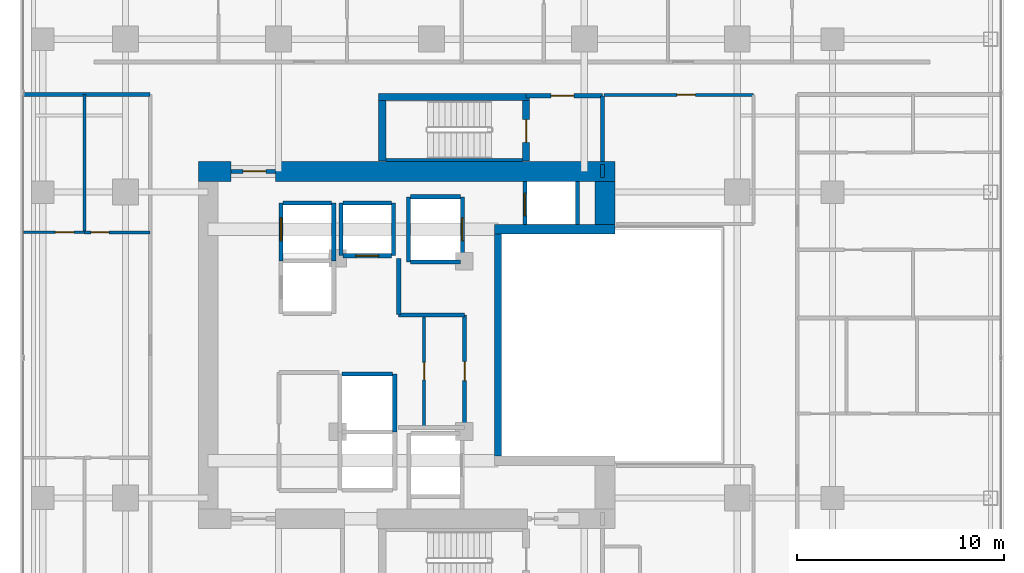
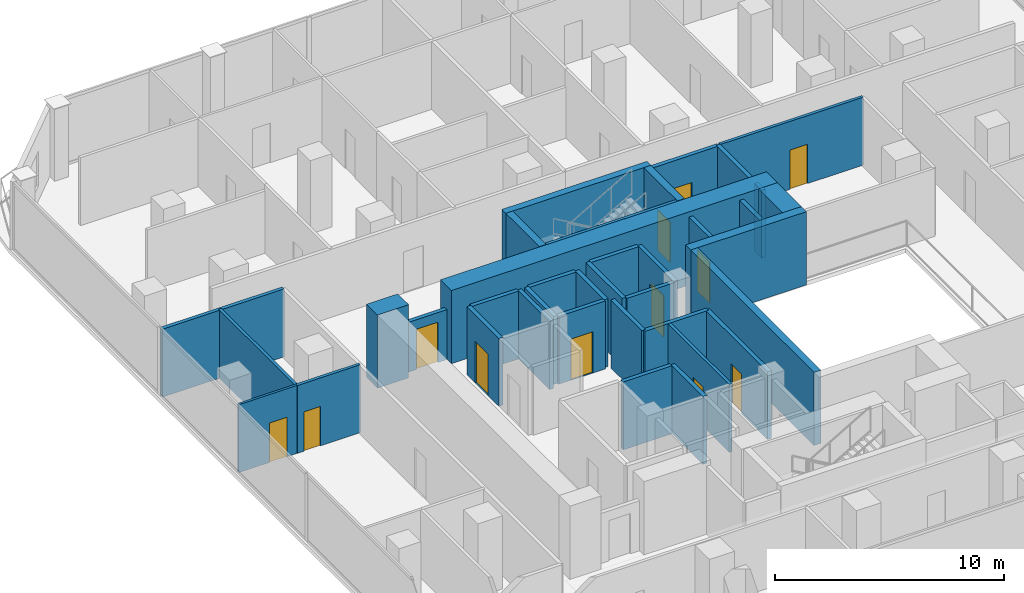
# One storey, part 21 of 27: 37 walls, 12 doors, 12 openings.
"""IFC4 building model written with IfcOpenShell, lengths in metres."""

from ifc_helpers import new_model, si_unit, direction, frame, frame_2d, origin, place, context, subcontext, project, spatial, rectangle, extrude, material, layer, layer_set, type_object, element, fill, save


model = new_model("IFC4")

# Units and contexts
model_context = context("Model", 3, precision=1e-05, world=origin(), true_north=direction((0.0, 1.0)))
body_context = subcontext(model_context, "Body", "Model", "MODEL_VIEW")
ifc_project = project(units=[si_unit("LENGTHUNIT", "METRE"), si_unit("AREAUNIT", "SQUARE_METRE"), si_unit("VOLUMEUNIT", "CUBIC_METRE"), si_unit("PLANEANGLEUNIT", "RADIAN"), si_unit("MASSUNIT", "GRAM", prefix="KILO")], contexts=[model_context])

# Site, building, storey
site_placement = place(None, origin())
site = spatial("IfcSite", under=ifc_project, at=site_placement, CompositionType="ELEMENT")
building_placement = place(site_placement, origin())
building = spatial("IfcBuilding", under=site, at=building_placement, Name="Khorvyn Point Tower", CompositionType="ELEMENT")
storey_placement = place(building_placement, frame((0.0, 0.0, 132.89990234375)))
storey = spatial("IfcBuildingStorey", under=building, at=storey_placement, Name="L33", CompositionType="ELEMENT", Elevation=132.89990234375)

# Walls
ifc_material_1 = material(Name="Double acoustic gypsum on twin steel stud", Category="steel")
ifc_layer_1 = layer(ifc_material_1, 0.179931640625)
ifc_layer_set_1 = layer_set([ifc_layer_1], Name="Acoustic Double-Stud Apartment Demising Wall 180")
wall_type_1 = type_object("IfcWallType", Name="Acoustic Double-Stud Apartment Demising Wall 180", PredefinedType="PARTITIONING", material=ifc_layer_set_1)
wall_1_placement = place(storey_placement, frame((-19.72998046875, 12.1201171875, 0.0), z_axis=(0.0, 0.0, 1.0), x_axis=(1.0, 0.0, 0.0)))
element("IfcWall", 1, at=wall_1_placement, inside=storey, type_object=wall_type_1, Name="Wall", PredefinedType="PARTITIONING", context=body_context, shape_type="SweptSolid", body=[
    extrude(rectangle(XDim=6.1298828125, YDim=0.179931640625, at=frame_2d((3.06494140625, 0.0))), origin(), (0.0, 0.0, 1.0), 3.6201171875),
])
ifc_material_2 = material(Name="Concrete C40/50", Category="concrete")
ifc_layer_2 = layer(ifc_material_2, 0.449951171875)
ifc_layer_set_2 = layer_set([ifc_layer_2], Name="Concrete C40/50 Core Shear Wall 450")
wall_type_2 = type_object("IfcWallType", Name="Concrete C40/50 Core Shear Wall 450", PredefinedType="SHEAR", material=ifc_layer_set_2)
wall_2_placement = place(storey_placement, frame((3.044921875, 5.60009765625, 0.0), z_axis=(0.0, 0.0, 1.0), x_axis=(1.0, 0.0, 0.0)))
element("IfcWall", 2, at=wall_2_placement, inside=storey, type_object=wall_type_2, Name="Wall", PredefinedType="SHEAR", context=body_context, shape_type="SweptSolid", body=[
    extrude(rectangle(XDim=5.830078125, YDim=0.449951171875, at=frame_2d((2.9150390625, 0.0))), origin(), (0.0, 0.0, 1.0), 3.900146484375),
])

# Wall, opening, door
ifc_layer_3 = layer(ifc_material_2, 0.199951171875)
ifc_layer_set_3 = layer_set([ifc_layer_3], Name="Concrete C40/50 Fire-Lobby Compartment Wall 200")
wall_type_3 = type_object("IfcWallType", Name="Concrete C40/50 Fire-Lobby Compartment Wall 200", PredefinedType="SOLIDWALL", material=ifc_layer_set_3)
wall_3_placement = place(storey_placement, frame((4.580078125, 12.06005859375, 0.0), z_axis=(0.0, 0.0, 1.0), x_axis=(1.0, 0.0, 0.0)))
wall_3 = element("IfcWall", 3, at=wall_3_placement, inside=storey, type_object=wall_type_3, Name="Wall", PredefinedType="SOLIDWALL", context=body_context, shape_type="SweptSolid", body=[
    extrude(rectangle(XDim=3.699951171875, YDim=0.199951171875, at=frame_2d((1.85009765625, 0.0))), origin(), (0.0, 0.0, 1.0), 3.6201171875),
])
opening_1_placement = place(wall_3_placement, frame((1.21240234375, 0.0, 0.0)))
opening_1 = element("IfcOpeningElement", 4, at=opening_1_placement, cuts=wall_3, Name="Opening ID-FL90", PredefinedType="OPENING", context=body_context, shape_type="SweptSolid", body=[
    extrude(rectangle(XDim=1.10009765625, YDim=2.14990234375, at=frame_2d((0.550048828125, 1.074951171875))), frame((0.0, 0.10986328125, 0.0), z_axis=(0.0, -1.0, 0.0), x_axis=(1.0, 0.0, 0.0)), (0.0, 0.0, 1.0), 0.219970703125),
])
ifc_material_3 = material(Name="Galvanised powder-coated steel", Category="steel")
door_type_1 = type_object("IfcDoorType", Name="Fire-Rated Steel Lobby and Stair Door 1100x2150", OperationType="NOTDEFINED", PredefinedType="DOOR", material=ifc_material_3)
door_1_placement = place(opening_1_placement, origin())
door_1 = element("IfcDoor", 5, at=door_1_placement, inside=storey, type_object=door_type_1, Name="Door", OperationType="SINGLE_SWING_LEFT", OverallHeight=2.14990234375, OverallWidth=1.10009765625, PredefinedType="DOOR", context=body_context, shape_type="SweptSolid", body=[
    extrude(rectangle(XDim=1.10009765625, YDim=2.14990234375, at=frame_2d((0.550048828125, 1.074951171875))), frame((0.0, 0.02490234375, 0.0), z_axis=(0.0, -1.0, 0.0), x_axis=(1.0, 0.0, 0.0)), (0.0, 0.0, 1.0), 0.050048828125),
])
fill(opening_1, door_1)

wall_4_placement = place(storey_placement, frame((-9.699951171875, 8.39990234375, 0.0), z_axis=(0.0, 0.0, 1.0), x_axis=(1.0, 0.0, 0.0)))
wall_4 = element("IfcWall", 6, at=wall_4_placement, inside=storey, type_object=wall_type_3, Name="Wall", PredefinedType="SOLIDWALL", context=body_context, shape_type="SweptSolid", body=[
    extrude(rectangle(XDim=2.14990234375, YDim=0.199951171875, at=frame_2d((1.074951171875, 0.0))), origin(), (0.0, 0.0, 1.0), 2.66015625),
])
opening_2_placement = place(wall_4_placement, frame((0.597900390625, 0.0, 0.0)))
opening_2 = element("IfcOpeningElement", 7, at=opening_2_placement, cuts=wall_4, Name="Opening ID-FL90", PredefinedType="OPENING", context=body_context, shape_type="SweptSolid", body=[
    extrude(rectangle(XDim=1.10009765625, YDim=2.14990234375, at=frame_2d((0.550048828125, 1.074951171875))), frame((0.0, 0.10986328125, 0.0), z_axis=(0.0, -1.0, 0.0), x_axis=(1.0, 0.0, 0.0)), (0.0, 0.0, 1.0), 0.219970703125),
])
door_2_placement = place(opening_2_placement, origin())
door_2 = element("IfcDoor", 8, at=door_2_placement, inside=storey, type_object=door_type_1, Name="Door", OperationType="SINGLE_SWING_LEFT", OverallHeight=2.14990234375, OverallWidth=1.10009765625, PredefinedType="DOOR", context=body_context, shape_type="SweptSolid", body=[
    extrude(rectangle(XDim=1.10009765625, YDim=2.14990234375, at=frame_2d((0.550048828125, 1.074951171875))), frame((0.0, 0.02490234375, 0.0), z_axis=(0.0, -1.0, 0.0), x_axis=(1.0, 0.0, 0.0)), (0.0, 0.0, 1.0), 0.050048828125),
])
fill(opening_2, door_2)

wall_5_placement = place(storey_placement, frame((1.610107421875, -3.97998046875, 0.0), z_axis=(0.0, 0.0, 1.0), x_axis=(0.0, 1.0, 0.0)))
wall_5 = element("IfcWall", 9, at=wall_5_placement, inside=storey, type_object=wall_type_3, Name="Wall", PredefinedType="SOLIDWALL", context=body_context, shape_type="SweptSolid", body=[
    extrude(rectangle(XDim=5.43994140625, YDim=0.199951171875, at=frame_2d((2.719970703125, 0.0))), origin(), (0.0, 0.0, 1.0), 3.6201171875),
])
opening_3_placement = place(wall_5_placement, frame((2.260009765625, 0.0, 0.0)))
opening_3 = element("IfcOpeningElement", 10, at=opening_3_placement, cuts=wall_5, Name="Opening ID-RS60", PredefinedType="OPENING", context=body_context, shape_type="SweptSolid", body=[
    extrude(rectangle(XDim=0.919921875, YDim=2.10009765625, at=frame_2d((0.4599609375, 1.050048828125))), frame((0.0, 0.10986328125, 0.0), z_axis=(0.0, -1.0, 0.0), x_axis=(1.0, 0.0, 0.0)), (0.0, 0.0, 1.0), 0.219970703125),
])
door_type_2 = type_object("IfcDoorType", Name="Fire-Rated Riser and Store Steel Door 920x2100", OperationType="NOTDEFINED", PredefinedType="DOOR", material=ifc_material_3)
door_3_placement = place(opening_3_placement, origin())
door_3 = element("IfcDoor", 11, at=door_3_placement, inside=storey, type_object=door_type_2, Name="Door", OperationType="SINGLE_SWING_RIGHT", OverallHeight=2.10009765625, OverallWidth=0.919921875, PredefinedType="DOOR", context=body_context, shape_type="SweptSolid", body=[
    extrude(rectangle(XDim=0.919921875, YDim=2.10009765625, at=frame_2d((0.4599609375, 1.050048828125))), frame((0.0, 0.02490234375, 0.0), z_axis=(0.0, -1.0, 0.0), x_axis=(1.0, 0.0, 0.0)), (0.0, 0.0, 1.0), 0.050048828125),
])
fill(opening_3, door_3)

# Walls
wall_6_placement = place(storey_placement, frame((8.280029296875, 8.875, 0.0), z_axis=(0.0, 0.0, 1.0), x_axis=(0.0, 1.0, 0.0)))
element("IfcWall", 12, at=wall_6_placement, inside=storey, type_object=wall_type_3, Name="Wall", PredefinedType="SOLIDWALL", context=body_context, shape_type="SweptSolid", body=[
    extrude(rectangle(XDim=3.18505859375, YDim=0.199951171875, at=frame_2d((1.592529296875, 0.0))), origin(), (0.0, 0.0, 1.0), 3.6201171875),
])
wall_7_placement = place(storey_placement, frame((-1.580078125, 1.47998046875, 0.0), z_axis=(0.0, 0.0, 1.0), x_axis=(0.0, 1.0, 0.0)))
element("IfcWall", 13, at=wall_7_placement, inside=storey, type_object=wall_type_3, Name="Wall", PredefinedType="SOLIDWALL", context=body_context, shape_type="SweptSolid", body=[
    extrude(rectangle(XDim=2.699951171875, YDim=0.199951171875, at=frame_2d((1.35009765625, 0.0))), origin(), (0.0, 0.0, 1.0), 3.6201171875),
])
wall_8_placement = place(storey_placement, frame((-1.580078125, 1.4599609375, 0.0), z_axis=(0.0, 0.0, 1.0), x_axis=(1.0, 0.0, 0.0)))
element("IfcWall", 14, at=wall_8_placement, inside=storey, type_object=wall_type_3, Name="Wall", PredefinedType="SOLIDWALL", context=body_context, shape_type="SweptSolid", body=[
    extrude(rectangle(XDim=3.190185546875, YDim=0.199951171875, at=frame_2d((1.59521484375, 0.0))), origin(), (0.0, 0.0, 1.0), 3.6201171875),
])
wall_9_placement = place(storey_placement, frame((8.280029296875, 8.10009765625, 0.0), z_axis=(0.0, 0.0, 1.0), x_axis=(0.0, 1.0, 0.0)))
element("IfcWall", 15, at=wall_9_placement, inside=storey, type_object=wall_type_3, Name="Wall", PredefinedType="SOLIDWALL", context=body_context, shape_type="SweptSolid", body=[
    extrude(rectangle(XDim=0.625, YDim=0.199951171875, at=frame_2d((0.3125, 0.0))), origin(), (0.0, 0.0, 1.0), 3.6201171875),
])
ifc_layer_4 = layer(ifc_material_2, 0.25)
ifc_layer_set_4 = layer_set([ifc_layer_4], Name="Concrete C40/50 Stair Inner Cheek Structural Wall 250")
wall_type_4 = type_object("IfcWallType", Name="Concrete C40/50 Stair Inner Cheek Structural Wall 250", PredefinedType="SHEAR", material=ifc_layer_set_4)
wall_10_placement = place(storey_placement, frame((-2.199951171875, 8.949951171875, 0.0), z_axis=(0.0, 0.0, 1.0), x_axis=(1.0, 0.0, 0.0)))
element("IfcWall", 16, at=wall_10_placement, inside=storey, type_object=wall_type_4, Name="Wall", PredefinedType="SHEAR", context=body_context, shape_type="SweptSolid", body=[
    extrude(rectangle(XDim=6.599853515625, YDim=0.14990234375, at=frame_2d((3.2998046875, 0.0))), origin(), (0.0, 0.0, 1.0), 3.900146484375),
])
ifc_layer_5 = layer(ifc_material_2, 0.35009765625)
ifc_layer_set_5 = layer_set([ifc_layer_5], Name="Concrete C40/50 Stair Shaft Structural Wall 350")
wall_type_5 = type_object("IfcWallType", Name="Concrete C40/50 Stair Shaft Structural Wall 350", PredefinedType="SHEAR", material=ifc_layer_set_5)
wall_11_placement = place(storey_placement, frame((3.219970703125, -5.375, 0.0), z_axis=(0.0, 0.0, 1.0), x_axis=(0.0, 1.0, 0.0)))
element("IfcWall", 17, at=wall_11_placement, inside=storey, type_object=wall_type_5, Name="Wall", PredefinedType="SHEAR", context=body_context, shape_type="SweptSolid", body=[
    extrude(rectangle(XDim=10.75, YDim=0.35009765625, at=frame_2d((5.375, 0.0))), origin(), (0.0, 0.0, 1.0), 3.900146484375),
])
wall_12_placement = place(storey_placement, frame((-2.554931640625, 12.0, 0.0), z_axis=(0.0, 0.0, 1.0), x_axis=(1.0, 0.0, 0.0)))
element("IfcWall", 18, at=wall_12_placement, inside=storey, type_object=wall_type_5, Name="L33 ST-02 North Shaft Wall", PredefinedType="SHEAR", context=body_context, shape_type="SweptSolid", body=[
    extrude(rectangle(XDim=7.309814453125, YDim=0.35009765625, at=frame_2d((3.65478515625, 0.0))), origin(), (0.0, 0.0, 1.0), 3.900146484375),
])
wall_13_placement = place(storey_placement, frame((-2.3798828125, 8.89990234375, 0.0), z_axis=(0.0, 0.0, 1.0), x_axis=(0.0, 1.0, 0.0)))
element("IfcWall", 19, at=wall_13_placement, inside=storey, type_object=wall_type_5, Name="L33 ST-02 West Shaft Wall", PredefinedType="SHEAR", context=body_context, shape_type="SweptSolid", body=[
    extrude(rectangle(XDim=2.925048828125, YDim=0.35009765625, at=frame_2d((1.46240234375, 0.0))), origin(), (0.0, 0.0, 1.0), 3.900146484375),
])

# Wall, opening, door
wall_14_placement = place(storey_placement, frame((4.580078125, 11.824951171875, 0.0), z_axis=(0.0, 0.0, 1.0), x_axis=(0.0, -1.0, 0.0)))
wall_14 = element("IfcWall", 20, at=wall_14_placement, inside=storey, type_object=wall_type_5, Name="L33 ST-02 East Landing Door Wall", PredefinedType="SHEAR", context=body_context, shape_type="SweptSolid", body=[
    extrude(rectangle(XDim=2.925048828125, YDim=0.35009765625, at=frame_2d((1.46240234375, 0.0))), origin(), (0.0, 0.0, 1.0), 3.900146484375),
])
opening_4_placement = place(wall_14_placement, frame((0.91259765625, 0.0, 0.0)))
opening_4 = element("IfcOpeningElement", 21, at=opening_4_placement, cuts=wall_14, Name="Opening ID-FL90", PredefinedType="OPENING", context=body_context, shape_type="SweptSolid", body=[
    extrude(rectangle(XDim=1.10009765625, YDim=2.14990234375, at=frame_2d((0.550048828125, 1.074951171875))), frame((0.0, 0.18505859375, 0.0), z_axis=(0.0, -1.0, 0.0), x_axis=(1.0, 0.0, 0.0)), (0.0, 0.0, 1.0), 0.3701171875),
])
door_4_placement = place(opening_4_placement, origin())
door_4 = element("IfcDoor", 22, at=door_4_placement, inside=storey, type_object=door_type_1, Name="L33 ST-02 Smokeproof Landing Door", OperationType="SINGLE_SWING_RIGHT", OverallHeight=2.14990234375, OverallWidth=1.10009765625, PredefinedType="DOOR", context=body_context, shape_type="SweptSolid", body=[
    extrude(rectangle(XDim=1.10009765625, YDim=2.14990234375, at=frame_2d((0.550048828125, 1.074951171875))), frame((0.0, 0.02490234375, 0.0), z_axis=(0.0, -1.0, 0.0), x_axis=(1.0, 0.0, 0.0)), (0.0, 0.0, 1.0), 0.050048828125),
])
fill(opening_4, door_4)

ifc_layer_6 = layer(ifc_material_2, 0.199951171875)
ifc_layer_set_6 = layer_set([ifc_layer_6], Name="Concrete C40/50 Structural Hoistway and Stair Shaft Wall 200")
wall_type_6 = type_object("IfcWallType", Name="Concrete C40/50 Structural Hoistway and Stair Shaft Wall 200", PredefinedType="SHEAR", material=ifc_layer_set_6)
wall_15_placement = place(storey_placement, frame((-7.27490234375, 4.074951171875, 0.0), z_axis=(0.0, 0.0, 1.0), x_axis=(0.0, 1.0, 0.0)))
wall_15 = element("IfcWall", 23, at=wall_15_placement, inside=storey, type_object=wall_type_6, Name="Wall", PredefinedType="SHEAR", context=body_context, shape_type="SweptSolid", body=[
    extrude(rectangle(XDim=2.800048828125, YDim=0.199951171875, at=frame_2d((1.39990234375, 0.0))), origin(), (0.0, 0.0, 1.0), 3.6201171875),
])
opening_5_placement = place(wall_15_placement, frame((0.97509765625, 0.0, 0.0)))
opening_5 = element("IfcOpeningElement", 24, at=opening_5_placement, cuts=wall_15, Name="Opening LD-1122", PredefinedType="OPENING", context=body_context, shape_type="SweptSolid", body=[
    extrude(rectangle(XDim=1.10009765625, YDim=2.199951171875, at=frame_2d((0.550048828125, 1.10009765625))), frame((0.0, 0.10986328125, 0.0), z_axis=(0.0, -1.0, 0.0), x_axis=(1.0, 0.0, 0.0)), (0.0, 0.0, 1.0), 0.219970703125),
])
ifc_material_4 = material(Name="Stainless steel 1.4301", Category="steel")
door_type_3 = type_object("IfcDoorType", Name="Stainless Steel Automatic Sliding Lift Landing Door 1100x2200", OperationType="SLIDING_TO_LEFT", PredefinedType="DOOR", material=ifc_material_4)
door_5_placement = place(opening_5_placement, origin())
door_5 = element("IfcDoor", 25, at=door_5_placement, inside=storey, type_object=door_type_3, Name="L33 RM-02 Sliding Lift Landing Door", OperationType="SLIDING_TO_LEFT", OverallHeight=2.199951171875, OverallWidth=1.10009765625, PredefinedType="DOOR", context=body_context, shape_type="SweptSolid", body=[
    extrude(rectangle(XDim=1.10009765625, YDim=2.199951171875, at=frame_2d((0.550048828125, 1.10009765625))), frame((0.0, 0.02490234375, 0.0), z_axis=(0.0, -1.0, 0.0), x_axis=(1.0, 0.0, 0.0)), (0.0, 0.0, 1.0), 0.050048828125),
])
fill(opening_5, door_5)

# Walls
wall_16_placement = place(storey_placement, frame((-4.72509765625, 4.074951171875, 0.0), z_axis=(0.0, 0.0, 1.0), x_axis=(0.0, 1.0, 0.0)))
element("IfcWall", 26, at=wall_16_placement, inside=storey, type_object=wall_type_6, Name="Wall", PredefinedType="SHEAR", context=body_context, shape_type="SweptSolid", body=[
    extrude(rectangle(XDim=2.800048828125, YDim=0.199951171875, at=frame_2d((1.39990234375, 0.0))), origin(), (0.0, 0.0, 1.0), 3.6201171875),
])
wall_17_placement = place(storey_placement, frame((-7.175048828125, 6.875, 0.0), z_axis=(0.0, 0.0, 1.0), x_axis=(1.0, 0.0, 0.0)))
element("IfcWall", 27, at=wall_17_placement, inside=storey, type_object=wall_type_6, Name="Wall", PredefinedType="SHEAR", context=body_context, shape_type="SweptSolid", body=[
    extrude(rectangle(XDim=2.35009765625, YDim=0.199951171875, at=frame_2d((1.175048828125, 0.0))), origin(), (0.0, 0.0, 1.0), 3.6201171875),
])
for number, where, z_axis, x_axis, name in (
    (28, (-4.375, 4.324951171875, 0.0), (0.0, 0.0, 1.0), (0.0, 1.0, 0.0), "Wall"),
    (29, (-1.824951171875, 4.324951171875, 0.0), (0.0, 0.0, 1.0), (0.0, 1.0, 0.0), "Wall"),
):
    element("IfcWall", number, at=place(storey_placement, frame(where, z_axis=z_axis, x_axis=x_axis)), inside=storey, type_object=wall_type_6, Name=name, PredefinedType="SHEAR", context=body_context, shape_type="SweptSolid", body=[
        extrude(rectangle(XDim=2.550048828125, YDim=0.199951171875, at=frame_2d((1.27490234375, 0.0))), origin(), (0.0, 0.0, 1.0), 3.6201171875),
    ])

# Wall, opening, door
wall_18_placement = place(storey_placement, frame((-4.27490234375, 4.324951171875, 0.0), z_axis=(0.0, 0.0, 1.0), x_axis=(1.0, 0.0, 0.0)))
wall_18 = element("IfcWall", 30, at=wall_18_placement, inside=storey, type_object=wall_type_6, Name="Wall", PredefinedType="SHEAR", context=body_context, shape_type="SweptSolid", body=[
    extrude(rectangle(XDim=2.349853515625, YDim=0.199951171875, at=frame_2d((1.1748046875, 0.0))), origin(), (0.0, 0.0, 1.0), 3.6201171875),
])
opening_6_placement = place(wall_18_placement, frame((0.625, 0.0, 0.0)))
opening_6 = element("IfcOpeningElement", 31, at=opening_6_placement, cuts=wall_18, Name="Opening LD-1122", PredefinedType="OPENING", context=body_context, shape_type="SweptSolid", body=[
    extrude(rectangle(XDim=1.10009765625, YDim=2.199951171875, at=frame_2d((0.550048828125, 1.10009765625))), frame((0.0, 0.10986328125, 0.0), z_axis=(0.0, -1.0, 0.0), x_axis=(1.0, 0.0, 0.0)), (0.0, 0.0, 1.0), 0.219970703125),
])
door_6_placement = place(opening_6_placement, origin())
door_6 = element("IfcDoor", 32, at=door_6_placement, inside=storey, type_object=door_type_3, Name="L33 RM-03 Sliding Lift Landing Door", OperationType="SLIDING_TO_LEFT", OverallHeight=2.199951171875, OverallWidth=1.10009765625, PredefinedType="DOOR", context=body_context, shape_type="SweptSolid", body=[
    extrude(rectangle(XDim=1.10009765625, YDim=2.199951171875, at=frame_2d((0.550048828125, 1.10009765625))), frame((0.0, 0.02490234375, 0.0), z_axis=(0.0, -1.0, 0.0), x_axis=(1.0, 0.0, 0.0)), (0.0, 0.0, 1.0), 0.050048828125),
])
fill(opening_6, door_6)

# Walls
wall_19_placement = place(storey_placement, frame((-4.27490234375, 6.875, 0.0), z_axis=(0.0, 0.0, 1.0), x_axis=(1.0, 0.0, 0.0)))
element("IfcWall", 33, at=wall_19_placement, inside=storey, type_object=wall_type_6, Name="Wall", PredefinedType="SHEAR", context=body_context, shape_type="SweptSolid", body=[
    extrude(rectangle(XDim=2.349853515625, YDim=0.199951171875, at=frame_2d((1.1748046875, 0.0))), origin(), (0.0, 0.0, 1.0), 3.6201171875),
])
wall_20_placement = place(storey_placement, frame((-1.77490234375, -4.199951171875, 0.0), z_axis=(0.0, 0.0, 1.0), x_axis=(0.0, 1.0, 0.0)))
element("IfcWall", 34, at=wall_20_placement, inside=storey, type_object=wall_type_6, Name="Wall", PredefinedType="SHEAR", context=body_context, shape_type="SweptSolid", body=[
    extrude(rectangle(XDim=2.800048828125, YDim=0.199951171875, at=frame_2d((1.39990234375, 0.0))), origin(), (0.0, 0.0, 1.0), 3.6201171875),
])
wall_21_placement = place(storey_placement, frame((-4.324951171875, -1.39990234375, 0.0), z_axis=(0.0, 0.0, 1.0), x_axis=(1.0, 0.0, 0.0)))
element("IfcWall", 35, at=wall_21_placement, inside=storey, type_object=wall_type_6, Name="Wall", PredefinedType="SHEAR", context=body_context, shape_type="SweptSolid", body=[
    extrude(rectangle(XDim=2.449951171875, YDim=0.199951171875, at=frame_2d((1.22509765625, 0.0))), origin(), (0.0, 0.0, 1.0), 3.6201171875),
])
wall_22_placement = place(storey_placement, frame((-1.10009765625, 4.02490234375, 0.0), z_axis=(0.0, 0.0, 1.0), x_axis=(0.0, 1.0, 0.0)))
element("IfcWall", 36, at=wall_22_placement, inside=storey, type_object=wall_type_6, Name="Wall", PredefinedType="SHEAR", context=body_context, shape_type="SweptSolid", body=[
    extrude(rectangle(XDim=3.150146484375, YDim=0.199951171875, at=frame_2d((1.5751953125, 0.0))), origin(), (0.0, 0.0, 1.0), 3.6201171875),
])

# Wall, opening, door
wall_23_placement = place(storey_placement, frame((1.5, 4.02490234375, 0.0), z_axis=(0.0, 0.0, 1.0), x_axis=(0.0, 1.0, 0.0)))
wall_23 = element("IfcWall", 37, at=wall_23_placement, inside=storey, type_object=wall_type_6, Name="Wall", PredefinedType="SHEAR", context=body_context, shape_type="SweptSolid", body=[
    extrude(rectangle(XDim=3.150146484375, YDim=0.199951171875, at=frame_2d((1.5751953125, 0.0))), origin(), (0.0, 0.0, 1.0), 3.6201171875),
])
opening_7_placement = place(wall_23_placement, frame((1.02490234375, 0.0, 0.0)))
opening_7 = element("IfcOpeningElement", 38, at=opening_7_placement, cuts=wall_23, Name="Opening LD-1122", PredefinedType="OPENING", context=body_context, shape_type="SweptSolid", body=[
    extrude(rectangle(XDim=1.10009765625, YDim=2.199951171875, at=frame_2d((0.550048828125, 1.10009765625))), frame((0.0, 0.10986328125, 0.0), z_axis=(0.0, -1.0, 0.0), x_axis=(1.0, 0.0, 0.0)), (0.0, 0.0, 1.0), 0.219970703125),
])
door_7_placement = place(opening_7_placement, origin())
door_7 = element("IfcDoor", 39, at=door_7_placement, inside=storey, type_object=door_type_3, Name="L33 SV-01 Sliding Lift Landing Door", OperationType="SLIDING_TO_LEFT", OverallHeight=2.199951171875, OverallWidth=1.10009765625, PredefinedType="DOOR", context=body_context, shape_type="SweptSolid", body=[
    extrude(rectangle(XDim=1.10009765625, YDim=2.199951171875, at=frame_2d((0.550048828125, 1.10009765625))), frame((0.0, 0.02490234375, 0.0), z_axis=(0.0, -1.0, 0.0), x_axis=(1.0, 0.0, 0.0)), (0.0, 0.0, 1.0), 0.050048828125),
])
fill(opening_7, door_7)

# Walls
for number, where, z_axis, x_axis, name in (
    (40, (-1.0, 4.02490234375, 0.0), (0.0, 0.0, 1.0), (1.0, 0.0, 0.0), "Wall"),
    (41, (-1.0, 7.175048828125, 0.0), (0.0, 0.0, 1.0), (1.0, 0.0, 0.0), "Wall"),
):
    element("IfcWall", number, at=place(storey_placement, frame(where, z_axis=z_axis, x_axis=x_axis)), inside=storey, type_object=wall_type_6, Name=name, PredefinedType="SHEAR", context=body_context, shape_type="SweptSolid", body=[
        extrude(rectangle(XDim=2.39990234375, YDim=0.199951171875, at=frame_2d((1.199951171875, 0.0))), origin(), (0.0, 0.0, 1.0), 3.6201171875),
    ])

# Wall, opening, door
wall_24_placement = place(storey_placement, frame((4.52490234375, 5.824951171875, 0.0), z_axis=(0.0, 0.0, 1.0), x_axis=(0.0, 1.0, 0.0)))
wall_24 = element("IfcWall", 42, at=wall_24_placement, inside=storey, type_object=wall_type_6, Name="Wall", PredefinedType="SHEAR", context=body_context, shape_type="SweptSolid", body=[
    extrude(rectangle(XDim=2.10009765625, YDim=0.199951171875, at=frame_2d((1.050048828125, 0.0))), origin(), (0.0, 0.0, 1.0), 3.6201171875),
])
opening_8_placement = place(wall_24_placement, frame((0.425048828125, 0.0, 0.0)))
opening_8 = element("IfcOpeningElement", 43, at=opening_8_placement, cuts=wall_24, Name="Opening LD-1122", PredefinedType="OPENING", context=body_context, shape_type="SweptSolid", body=[
    extrude(rectangle(XDim=1.10009765625, YDim=2.199951171875, at=frame_2d((0.550048828125, 1.10009765625))), frame((0.0, 0.10986328125, 0.0), z_axis=(0.0, -1.0, 0.0), x_axis=(1.0, 0.0, 0.0)), (0.0, 0.0, 1.0), 0.219970703125),
])
door_8_placement = place(opening_8_placement, origin())
door_8 = element("IfcDoor", 44, at=door_8_placement, inside=storey, type_object=door_type_3, Name="L33 FF-02 Sliding Lift Landing Door", OperationType="SLIDING_TO_LEFT", OverallHeight=2.199951171875, OverallWidth=1.10009765625, PredefinedType="DOOR", context=body_context, shape_type="SweptSolid", body=[
    extrude(rectangle(XDim=1.10009765625, YDim=2.199951171875, at=frame_2d((0.550048828125, 1.10009765625))), frame((0.0, 0.02490234375, 0.0), z_axis=(0.0, -1.0, 0.0), x_axis=(1.0, 0.0, 0.0)), (0.0, 0.0, 1.0), 0.050048828125),
])
fill(opening_8, door_8)

# Walls
wall_25_placement = place(storey_placement, frame((7.074951171875, 5.824951171875, 0.0), z_axis=(0.0, 0.0, 1.0), x_axis=(0.0, 1.0, 0.0)))
element("IfcWall", 45, at=wall_25_placement, inside=storey, type_object=wall_type_6, Name="Wall", PredefinedType="SHEAR", context=body_context, shape_type="SweptSolid", body=[
    extrude(rectangle(XDim=2.10009765625, YDim=0.199951171875, at=frame_2d((1.050048828125, 0.0))), origin(), (0.0, 0.0, 1.0), 3.6201171875),
])
ifc_material_5 = material(Name="Concrete C50/60", Category="concrete")
ifc_layer_7 = layer(ifc_material_5, 0.949951171875)
ifc_layer_set_7 = layer_set([ifc_layer_7], Name="Concrete C50/60 Core Shear Wall 950")
wall_type_7 = type_object("IfcWallType", Name="Concrete C50/60 Core Shear Wall 950", PredefinedType="SHEAR", material=ifc_layer_set_7)
wall_26_placement = place(storey_placement, frame((-11.27490234375, 8.39990234375, 0.0), z_axis=(0.0, 0.0, 1.0), x_axis=(1.0, 0.0, 0.0)))
element("IfcWall", 46, at=wall_26_placement, inside=storey, type_object=wall_type_7, Name="Wall", PredefinedType="SHEAR", context=body_context, shape_type="SweptSolid", body=[
    extrude(rectangle(XDim=1.574951171875, YDim=0.949951171875, at=frame_2d((0.78759765625, 0.0))), origin(), (0.0, 0.0, 1.0), 3.900146484375),
])
wall_27_placement = place(storey_placement, frame((-7.550048828125, 8.39990234375, 0.0), z_axis=(0.0, 0.0, 1.0), x_axis=(1.0, 0.0, 0.0)))
element("IfcWall", 47, at=wall_27_placement, inside=storey, type_object=wall_type_7, Name="Wall", PredefinedType="SHEAR", context=body_context, shape_type="SweptSolid", body=[
    extrude(rectangle(XDim=16.425048828125, YDim=0.949951171875, at=frame_2d((8.21240234375, 0.0))), origin(), (0.0, 0.0, 1.0), 3.900146484375),
])
wall_28_placement = place(storey_placement, frame((8.39990234375, 5.824951171875, 0.0), z_axis=(0.0, 0.0, 1.0), x_axis=(0.0, 1.0, 0.0)))
element("IfcWall", 48, at=wall_28_placement, inside=storey, type_object=wall_type_7, Name="Wall", PredefinedType="SHEAR", context=body_context, shape_type="SweptSolid", body=[
    extrude(rectangle(XDim=2.10009765625, YDim=0.949951171875, at=frame_2d((1.050048828125, 0.0))), origin(), (0.0, 0.0, 1.0), 3.900146484375),
])

# Wall, opening, door
ifc_material_6 = material(Name="Gypsum plasterboard on steel stud", Category="steel")
ifc_layer_8 = layer(ifc_material_6, 0.1201171875)
ifc_layer_set_8 = layer_set([ifc_layer_8], Name="Gypsum Acoustic Stud Room Partition Wall 120")
wall_type_8 = type_object("IfcWallType", Name="Gypsum Acoustic Stud Room Partition Wall 120", PredefinedType="PARTITIONING", material=ifc_layer_set_8)
wall_29_placement = place(storey_placement, frame((-19.72998046875, 5.448974609375, 0.0), z_axis=(0.0, 0.0, 1.0), x_axis=(1.0, 0.0, 0.0)))
wall_29 = element("IfcWall", 49, at=wall_29_placement, inside=storey, type_object=wall_type_8, Name="Wall", PredefinedType="PARTITIONING", context=body_context, shape_type="SweptSolid", body=[
    extrude(rectangle(XDim=2.946044921875, YDim=0.1201171875, at=frame_2d((1.47314453125, 0.0))), origin(), (0.0, 0.0, 1.0), 3.6201171875),
])
opening_9_placement = place(wall_29_placement, frame((1.540771484375, 0.0, 0.0)))
opening_9 = element("IfcOpeningElement", 50, at=opening_9_placement, cuts=wall_29, Name="Opening ID-RM90", PredefinedType="OPENING", context=body_context, shape_type="SweptSolid", body=[
    extrude(rectangle(XDim=0.89990234375, YDim=2.10009765625, at=frame_2d((0.449951171875, 1.050048828125))), frame((0.0, 0.070068359375, 0.0), z_axis=(0.0, -1.0, 0.0), x_axis=(1.0, 0.0, 0.0)), (0.0, 0.0, 1.0), 0.14013671875),
])
ifc_material_7 = material(Name="Engineered oak veneer timber", Category="wood")
door_type_4 = type_object("IfcDoorType", Name="Flush Engineered Timber Room Door 900x2100", OperationType="NOTDEFINED", PredefinedType="DOOR", material=ifc_material_7)
door_9_placement = place(opening_9_placement, origin())
door_9 = element("IfcDoor", 51, at=door_9_placement, inside=storey, type_object=door_type_4, Name="Door", OperationType="SINGLE_SWING_RIGHT", OverallHeight=2.10009765625, OverallWidth=0.89990234375, PredefinedType="DOOR", context=body_context, shape_type="SweptSolid", body=[
    extrude(rectangle(XDim=0.89990234375, YDim=2.10009765625, at=frame_2d((0.449951171875, 1.050048828125))), frame((0.0, 0.02490234375, 0.0), z_axis=(0.0, -1.0, 0.0), x_axis=(1.0, 0.0, 0.0)), (0.0, 0.0, 1.0), 0.050048828125),
])
fill(opening_9, door_9)

ifc_material_8 = material(Name="Moisture-resistant gypsum and cement board", Category="gypsum")
ifc_layer_9 = layer(ifc_material_8, 0.14990234375)
ifc_layer_set_9 = layer_set([ifc_layer_9], Name="Moisture-Resistant Wet-Room Partition Wall 150")
wall_type_9 = type_object("IfcWallType", Name="Moisture-Resistant Wet-Room Partition Wall 150", PredefinedType="PARTITIONING", material=ifc_layer_set_9)
wall_30_placement = place(storey_placement, frame((-0.35009765625, -3.97998046875, 0.0), z_axis=(0.0, 0.0, 1.0), x_axis=(0.0, 1.0, 0.0)))
wall_30 = element("IfcWall", 52, at=wall_30_placement, inside=storey, type_object=wall_type_9, Name="Wall", PredefinedType="PARTITIONING", context=body_context, shape_type="SweptSolid", body=[
    extrude(rectangle(XDim=5.43994140625, YDim=0.14990234375, at=frame_2d((2.719970703125, 0.0))), origin(), (0.0, 0.0, 1.0), 3.6201171875),
])
opening_10_placement = place(wall_30_placement, frame((2.294921875, 0.0, 0.0)))
opening_10 = element("IfcOpeningElement", 53, at=opening_10_placement, cuts=wall_30, Name="Opening ID-WC85", PredefinedType="OPENING", context=body_context, shape_type="SweptSolid", body=[
    extrude(rectangle(XDim=0.85009765625, YDim=2.10009765625, at=frame_2d((0.425048828125, 1.050048828125))), frame((0.0, 0.0849609375, 0.0), z_axis=(0.0, -1.0, 0.0), x_axis=(1.0, 0.0, 0.0)), (0.0, 0.0, 1.0), 0.169921875),
])
ifc_material_9 = material(Name="High-pressure laminate on moisture-resistant core", Category="wood")
door_type_5 = type_object("IfcDoorType", Name="Moisture-Resistant Accessible Washroom Door 850x2100", OperationType="NOTDEFINED", PredefinedType="DOOR", material=ifc_material_9)
door_10_placement = place(opening_10_placement, origin())
door_10 = element("IfcDoor", 54, at=door_10_placement, inside=storey, type_object=door_type_5, Name="Door", OperationType="SINGLE_SWING_LEFT", OverallHeight=2.10009765625, OverallWidth=0.85009765625, PredefinedType="DOOR", context=body_context, shape_type="SweptSolid", body=[
    extrude(rectangle(XDim=0.85009765625, YDim=2.10009765625, at=frame_2d((0.425048828125, 1.050048828125))), frame((0.0, 0.02490234375, 0.0), z_axis=(0.0, -1.0, 0.0), x_axis=(1.0, 0.0, 0.0)), (0.0, 0.0, 1.0), 0.050048828125),
])
fill(opening_10, door_10)

wall_31_placement = place(storey_placement, frame((8.360107421875, 12.10009765625, 0.0), z_axis=(0.0, 0.0, 1.0), x_axis=(1.0, 0.0, 0.0)))
wall_31 = element("IfcWall", 55, at=wall_31_placement, inside=storey, type_object=wall_type_9, Name="Wall", PredefinedType="PARTITIONING", context=body_context, shape_type="SweptSolid", body=[
    extrude(rectangle(XDim=7.219970703125, YDim=0.14990234375, at=frame_2d((3.60986328125, 0.0))), origin(), (0.0, 0.0, 1.0), 3.6201171875),
])
opening_11_placement = place(wall_31_placement, frame((3.512939453125, 0.0, 0.0)))
opening_11 = element("IfcOpeningElement", 56, at=opening_11_placement, cuts=wall_31, Name="Opening ID-RM90", PredefinedType="OPENING", context=body_context, shape_type="SweptSolid", body=[
    extrude(rectangle(XDim=0.89990234375, YDim=2.10009765625, at=frame_2d((0.449951171875, 1.050048828125))), frame((0.0, 0.0849609375, 0.0), z_axis=(0.0, -1.0, 0.0), x_axis=(1.0, 0.0, 0.0)), (0.0, 0.0, 1.0), 0.169921875),
])
door_11_placement = place(opening_11_placement, origin())
door_11 = element("IfcDoor", 57, at=door_11_placement, inside=storey, type_object=door_type_4, Name="Door", OperationType="SINGLE_SWING_RIGHT", OverallHeight=2.10009765625, OverallWidth=0.89990234375, PredefinedType="DOOR", context=body_context, shape_type="SweptSolid", body=[
    extrude(rectangle(XDim=0.89990234375, YDim=2.10009765625, at=frame_2d((0.449951171875, 1.050048828125))), frame((0.0, 0.02490234375, 0.0), z_axis=(0.0, -1.0, 0.0), x_axis=(1.0, 0.0, 0.0)), (0.0, 0.0, 1.0), 0.050048828125),
])
fill(opening_11, door_11)

wall_32_placement = place(storey_placement, frame((-16.783935546875, 5.448974609375, 0.0), z_axis=(0.0, 0.0, 1.0), x_axis=(1.0, 0.0, 0.0)))
wall_32 = element("IfcWall", 58, at=wall_32_placement, inside=storey, type_object=wall_type_9, Name="Wall", PredefinedType="PARTITIONING", context=body_context, shape_type="SweptSolid", body=[
    extrude(rectangle(XDim=3.183837890625, YDim=0.14990234375, at=frame_2d((1.591796875, 0.0))), origin(), (0.0, 0.0, 1.0), 3.6201171875),
])
opening_12_placement = place(wall_32_placement, frame((0.327880859375, 0.0, 0.0)))
opening_12 = element("IfcOpeningElement", 59, at=opening_12_placement, cuts=wall_32, Name="Opening ID-WC85", PredefinedType="OPENING", context=body_context, shape_type="SweptSolid", body=[
    extrude(rectangle(XDim=0.85009765625, YDim=2.10009765625, at=frame_2d((0.425048828125, 1.050048828125))), frame((0.0, 0.0849609375, 0.0), z_axis=(0.0, -1.0, 0.0), x_axis=(1.0, 0.0, 0.0)), (0.0, 0.0, 1.0), 0.169921875),
])
door_12_placement = place(opening_12_placement, origin())
door_12 = element("IfcDoor", 60, at=door_12_placement, inside=storey, type_object=door_type_5, Name="Door", OperationType="SINGLE_SWING_LEFT", OverallHeight=2.10009765625, OverallWidth=0.85009765625, PredefinedType="DOOR", context=body_context, shape_type="SweptSolid", body=[
    extrude(rectangle(XDim=0.85009765625, YDim=2.10009765625, at=frame_2d((0.425048828125, 1.050048828125))), frame((0.0, 0.02490234375, 0.0), z_axis=(0.0, -1.0, 0.0), x_axis=(1.0, 0.0, 0.0)), (0.0, 0.0, 1.0), 0.050048828125),
])
fill(opening_12, door_12)

# Wall
wall_33_placement = place(storey_placement, frame((-16.783935546875, 5.448974609375, 0.0), z_axis=(0.0, 0.0, 1.0), x_axis=(0.0, 1.0, 0.0)))
element("IfcWall", 61, at=wall_33_placement, inside=storey, type_object=wall_type_9, Name="Wall", PredefinedType="PARTITIONING", context=body_context, shape_type="SweptSolid", body=[
    extrude(rectangle(XDim=6.671142578125, YDim=0.14990234375, at=frame_2d((3.33544921875, 0.0))), origin(), (0.0, 0.0, 1.0), 3.6201171875),
])

save(model, "model.ifc")
